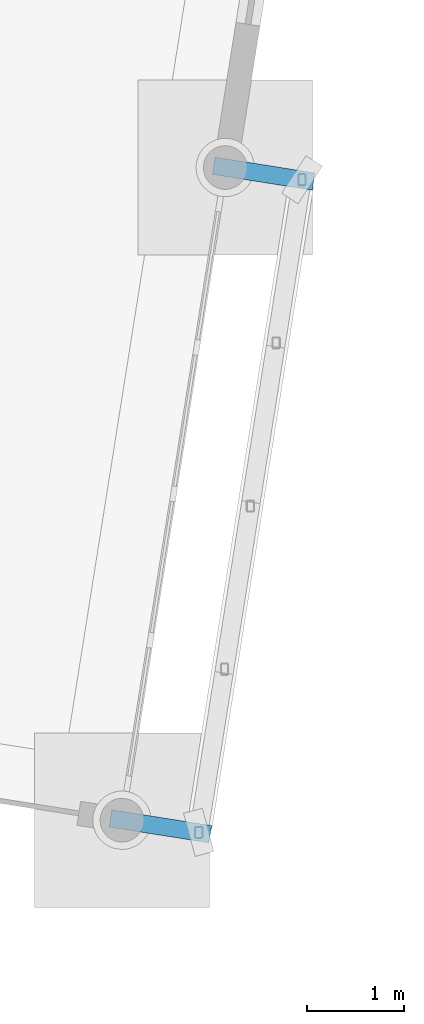
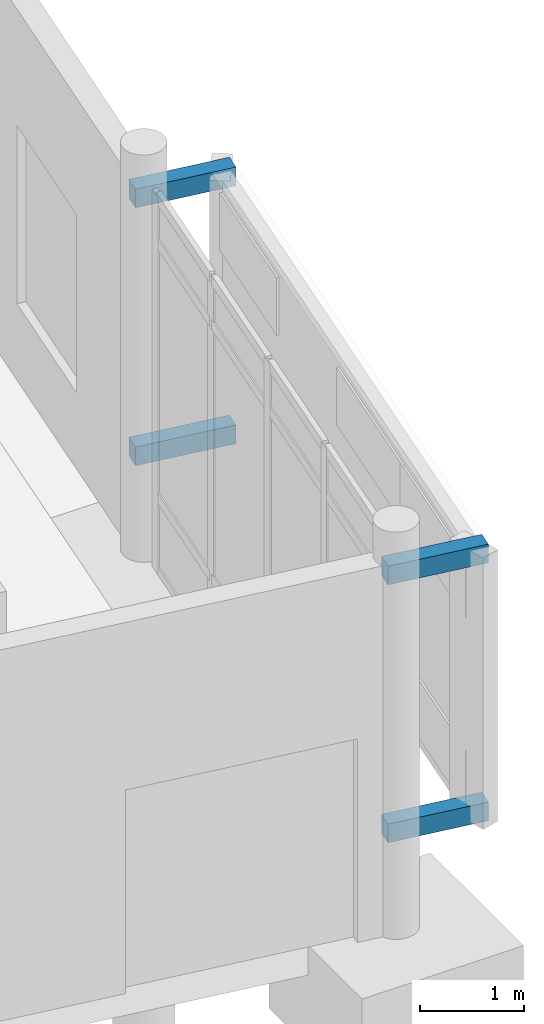
# One storey, part 54 of 72: 4 discrete accessories.
"""IFC4 building model written with IfcOpenShell, lengths in metres."""

from ifc_helpers import new_model, si_unit, direction, frame, origin, origin_2d, place, context, subcontext, project, spatial, rectangle, extrude, material, type_object, element, save


model = new_model("IFC4")

# Units and contexts
model_context = context("Model", 3, precision=1e-05, world=origin(), true_north=direction((0.0, 1.0)))
body_context = subcontext(model_context, "Body", "Model", "MODEL_VIEW")
ifc_project = project(units=[si_unit("LENGTHUNIT", "METRE"), si_unit("AREAUNIT", "SQUARE_METRE"), si_unit("VOLUMEUNIT", "CUBIC_METRE"), si_unit("PLANEANGLEUNIT", "RADIAN"), si_unit("MASSUNIT", "GRAM", prefix="KILO")], contexts=[model_context])

# Site, building, storey
site_placement = place(None, origin())
site = spatial("IfcSite", under=ifc_project, at=site_placement, CompositionType="ELEMENT")
building_placement = place(site_placement, origin())
building = spatial("IfcBuilding", under=site, at=building_placement, Name="Cinderway Yard Community Centre", CompositionType="ELEMENT")
storey_placement = place(building_placement, origin())
storey = spatial("IfcBuildingStorey", under=building, at=storey_placement, Name="L00", CompositionType="ELEMENT", Elevation=0.0)

# Discrete accessories
ifc_material = material(Name="Steel S355", Category="steel")
discrete_accessory_type = type_object("IfcDiscreteAccessoryType", Name="ENV-ACC-BRACKET", PredefinedType="BRACKET", material=ifc_material)
for number, where, z_axis, x_axis, name in (
    (1, (164.47509765625, 44.407958984375, 1.06982421875), (0.0, 0.0, 1.0), (0.987688340595, -0.15643446504, 0.0), "Screen outrigger bracket 0675"),
    (2, (164.47509765625, 44.407958984375, 4.10986328125), (0.0, 0.0, 1.0), (0.987688340595, -0.15643446504, 0.0), "Screen outrigger bracket 0676"),
    (3, (165.5380859375, 51.125, 1.06982421875), (0.0, 0.0, 1.0), (0.987688340595, -0.15643446504, 0.0), "Screen outrigger bracket 0679"),
    (4, (165.5380859375, 51.125, 4.10986328125), (0.0, 0.0, 1.0), (0.987688340595, -0.15643446504, 0.0), "Screen outrigger bracket 0680"),
):
    element("IfcDiscreteAccessory", number, at=place(storey_placement, frame(where, z_axis=z_axis, x_axis=x_axis)), inside=storey, type_object=discrete_accessory_type, Name=name, PredefinedType="BRACKET", context=body_context, shape_type="SweptSolid", body=[
        extrude(rectangle(XDim=1.0400390625, YDim=0.179931640625, at=origin_2d()), origin(), (0.0, 0.0, 1.0), 0.219970703125),
    ])

save(model, "model.ifc")
